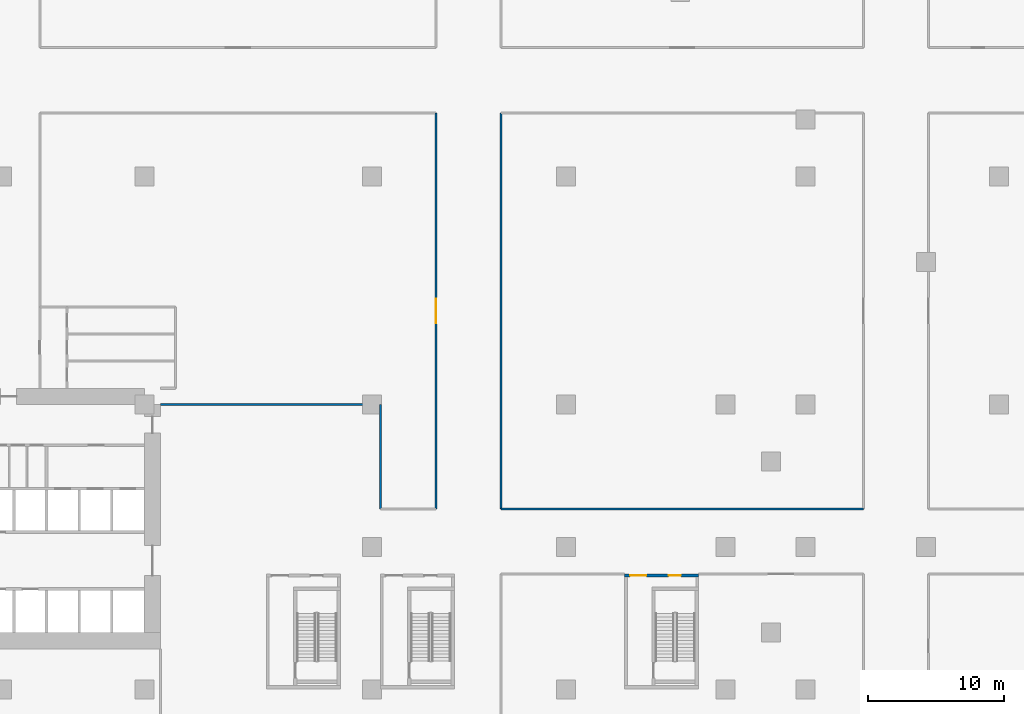
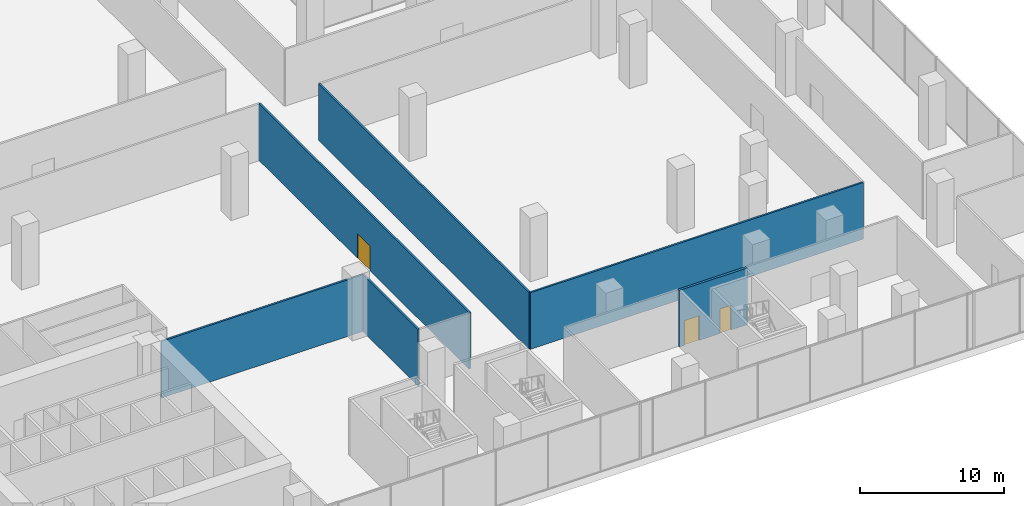
# One storey, part 15 of 24: 6 walls, 3 doors, 3 openings.
"""IFC4 building model written with IfcOpenShell, lengths in metres."""

from ifc_helpers import new_model, si_unit, direction, frame, frame_2d, origin, place, context, subcontext, project, spatial, rectangle, extrude, source, transform, mapped, material, layer, layer_set, type_object, element, fill, save


model = new_model("IFC4")

# Units and contexts
model_context = context("Model", 3, precision=1e-05, world=origin(), true_north=direction((0.0, 1.0)))
body_context = subcontext(model_context, "Body", "Model", "MODEL_VIEW")
ifc_project = project(units=[si_unit("LENGTHUNIT", "METRE"), si_unit("AREAUNIT", "SQUARE_METRE"), si_unit("VOLUMEUNIT", "CUBIC_METRE"), si_unit("PLANEANGLEUNIT", "RADIAN"), si_unit("MASSUNIT", "GRAM", prefix="KILO")], contexts=[model_context])

# Site, building, storey
site_placement = place(None, origin())
site = spatial("IfcSite", under=ifc_project, at=site_placement, CompositionType="ELEMENT")
building_placement = place(site_placement, origin())
building = spatial("IfcBuilding", under=site, at=building_placement, Name="Aurelian Terraces", CompositionType="ELEMENT")
storey_placement = place(building_placement, frame((0.0, 0.0, 12.9)))
storey = spatial("IfcBuildingStorey", under=building, at=storey_placement, Name="L02", CompositionType="ELEMENT", Elevation=12.9)

# Wall, openings, doors
ifc_material_1 = material(Name="Gypsum board on steel studs", Category="steel")
ifc_layer_1 = layer(ifc_material_1, 0.2)
ifc_layer_set_1 = layer_set([ifc_layer_1], Name="Core partition 200")
wall_type_1 = type_object("IfcWallType", Name="Core partition 200", PredefinedType="PARTITIONING", material=ifc_layer_set_1)
shared_shape_1 = source(origin(), body_context, "Body", "SweptSolid", [
    extrude(rectangle(XDim=5.45, YDim=0.2, at=frame_2d((2.725, 0.0))), origin(), (0.0, 0.0, 1.0), 4.8),
])
wall_1_placement = place(storey_placement, frame((56.4, 8.4, 0.0), z_axis=(0.0, 0.0, 1.0), x_axis=(1.0, 0.0, 0.0)))
wall_1 = element("IfcWall", 1, at=wall_1_placement, inside=storey, type_object=wall_type_1, Name="L02 core wall ST-S6-BN", PredefinedType="PARTITIONING", context=body_context, shape_type="MappedRepresentation", body=[
    mapped(shared_shape_1, transform((0.0, 0.0, 0.0), scale=1.0)),
])
shared_shape_2 = source(origin(), body_context, "Body", "SweptSolid", [
    extrude(rectangle(XDim=1.2, YDim=2.1, at=frame_2d((0.6, 1.05))), frame((0.0, 0.11, 0.0), z_axis=(0.0, -1.0, 0.0), x_axis=(1.0, 0.0, 0.0)), (0.0, 0.0, 1.0), 0.22),
])
opening_1_placement = place(wall_1_placement, frame((0.4, 0.0, 0.0)))
opening_1 = element("IfcOpeningElement", 2, at=opening_1_placement, cuts=wall_1, Name="Opening 60528", PredefinedType="OPENING", context=body_context, shape_type="MappedRepresentation", body=[
    mapped(shared_shape_2, transform((0.0, 0.0, 0.0), scale=1.0)),
])
shared_shape_3 = source(origin(), body_context, "Body", "SweptSolid", [
    extrude(rectangle(XDim=0.9, YDim=2.1, at=frame_2d((0.45, 1.05))), frame((0.0, 0.11, 0.0), z_axis=(0.0, -1.0, 0.0), x_axis=(1.0, 0.0, 0.0)), (0.0, 0.0, 1.0), 0.22),
])
opening_2_placement = place(wall_1_placement, frame((3.25, 0.0, 0.0)))
opening_2 = element("IfcOpeningElement", 3, at=opening_2_placement, cuts=wall_1, Name="Opening 60529", PredefinedType="OPENING", context=body_context, shape_type="MappedRepresentation", body=[
    mapped(shared_shape_3, transform((0.0, 0.0, 0.0), scale=1.0)),
])
ifc_material_2 = material(Name="Steel door leaf", Category="steel")
door_type_1 = type_object("IfcDoorType", Name="Core riser door 900x2100", OperationType="SINGLE_SWING_LEFT", PredefinedType="DOOR", material=ifc_material_2)
shared_shape_4 = source(origin(), body_context, "Body", "SweptSolid", [
    extrude(rectangle(XDim=0.9, YDim=2.1, at=frame_2d((0.45, 1.05))), frame((0.0, 0.025, 0.0), z_axis=(0.0, -1.0, 0.0), x_axis=(1.0, 0.0, 0.0)), (0.0, 0.0, 1.0), 0.05),
])
door_1_placement = place(opening_2_placement, origin())
door_1 = element("IfcDoor", 4, at=door_1_placement, inside=storey, type_object=door_type_1, Name="Riser door 60529", OperationType="SINGLE_SWING_LEFT", OverallHeight=2.1, OverallWidth=0.9, PredefinedType="DOOR", context=body_context, shape_type="MappedRepresentation", body=[
    mapped(shared_shape_4, transform((0.0, 0.0, 0.0), scale=1.0)),
])
fill(opening_2, door_1)
door_type_2 = type_object("IfcDoorType", Name="Core fire door 1200x2100 right", OperationType="SINGLE_SWING_RIGHT", PredefinedType="DOOR", material=ifc_material_2)
shared_shape_5 = source(origin(), body_context, "Body", "SweptSolid", [
    extrude(rectangle(XDim=1.2, YDim=2.1, at=frame_2d((0.6, 1.05))), frame((0.0, 0.025, 0.0), z_axis=(0.0, -1.0, 0.0), x_axis=(1.0, 0.0, 0.0)), (0.0, 0.0, 1.0), 0.05),
])
door_2_placement = place(opening_1_placement, origin())
door_2 = element("IfcDoor", 5, at=door_2_placement, inside=storey, type_object=door_type_2, Name="Vestibule door 60528", OperationType="SINGLE_SWING_RIGHT", OverallHeight=2.1, OverallWidth=1.2, PredefinedType="DOOR", context=body_context, shape_type="MappedRepresentation", body=[
    mapped(shared_shape_5, transform((0.0, 0.0, 0.0), scale=1.0)),
])
fill(opening_1, door_2)

# Wall
ifc_layer_2 = layer(ifc_material_1, 0.15)
ifc_layer_set_2 = layer_set([ifc_layer_2], Name="Special partition 150")
wall_type_2 = type_object("IfcWallType", Name="Special partition 150", PredefinedType="PARTITIONING", material=ifc_layer_set_2)
shared_shape_6 = source(origin(), body_context, "Body", "SweptSolid", [
    extrude(rectangle(XDim=26.7, YDim=0.15, at=frame_2d((13.35, 0.0))), origin(), (0.0, 0.0, 1.0), 4.8),
])
wall_2_placement = place(storey_placement, frame((47.3, 13.3, 0.0), z_axis=(0.0, 0.0, 1.0), x_axis=(1.0, 0.0, 0.0)))
element("IfcWall", 6, at=wall_2_placement, inside=storey, type_object=wall_type_2, Name="L02 partition W06", PredefinedType="PARTITIONING", context=body_context, shape_type="MappedRepresentation", body=[
    mapped(shared_shape_6, transform((0.0, 0.0, 0.0), scale=1.0)),
])

# Wall, opening, door
shared_shape_7 = source(origin(), body_context, "Body", "SweptSolid", [
    extrude(rectangle(XDim=29.2, YDim=0.15, at=frame_2d((14.6, 0.0))), origin(), (0.0, 0.0, 1.0), 4.8),
])
wall_3_placement = place(storey_placement, frame((42.5, 13.3, 0.0), z_axis=(0.0, 0.0, 1.0), x_axis=(0.0, 1.0, 0.0)))
wall_3 = element("IfcWall", 7, at=wall_3_placement, inside=storey, type_object=wall_type_2, Name="L02 partition W30", PredefinedType="PARTITIONING", context=body_context, shape_type="MappedRepresentation", body=[
    mapped(shared_shape_7, transform((0.0, 0.0, 0.0), scale=1.0)),
])
shared_shape_8 = source(origin(), body_context, "Body", "SweptSolid", [
    extrude(rectangle(XDim=1.8, YDim=2.1, at=frame_2d((0.9, 1.05))), frame((0.0, 0.085, 0.0), z_axis=(0.0, -1.0, 0.0), x_axis=(1.0, 0.0, 0.0)), (0.0, 0.0, 1.0), 0.17),
])
opening_3_placement = place(wall_3_placement, frame((13.7, 0.0, 0.0)))
opening_3 = element("IfcOpeningElement", 8, at=opening_3_placement, cuts=wall_3, Name="Opening 70512", PredefinedType="OPENING", context=body_context, shape_type="MappedRepresentation", body=[
    mapped(shared_shape_8, transform((0.0, 0.0, 0.0), scale=1.0)),
])
ifc_material_3 = material(Name="Timber door leaf", Category="wood")
door_type_3 = type_object("IfcDoorType", Name="Special double door 1800x2100", OperationType="DOUBLE_DOOR_SINGLE_SWING", PredefinedType="DOOR", material=ifc_material_3)
shared_shape_9 = source(origin(), body_context, "Body", "SweptSolid", [
    extrude(rectangle(XDim=1.8, YDim=2.1, at=frame_2d((0.9, 1.05))), frame((0.0, 0.025, 0.0), z_axis=(0.0, -1.0, 0.0), x_axis=(1.0, 0.0, 0.0)), (0.0, 0.0, 1.0), 0.05),
])
door_3_placement = place(opening_3_placement, origin())
door_3 = element("IfcDoor", 9, at=door_3_placement, inside=storey, type_object=door_type_3, Name="Door 70512", OperationType="DOUBLE_DOOR_SINGLE_SWING", OverallHeight=2.1, OverallWidth=1.8, PredefinedType="DOOR", context=body_context, shape_type="MappedRepresentation", body=[
    mapped(shared_shape_9, transform((0.0, 0.0, 0.0), scale=1.0)),
])
fill(opening_3, door_3)

# Walls
wall_4_placement = place(storey_placement, frame((47.3, 13.3, 0.0), z_axis=(0.0, 0.0, 1.0), x_axis=(0.0, 1.0, 0.0)))
element("IfcWall", 10, at=wall_4_placement, inside=storey, type_object=wall_type_2, Name="L02 partition W33", PredefinedType="PARTITIONING", context=body_context, shape_type="MappedRepresentation", body=[
    mapped(shared_shape_7, transform((0.0, 0.0, 0.0), scale=1.0)),
])
shared_shape_10 = source(origin(), body_context, "Body", "SweptSolid", [
    extrude(rectangle(XDim=16.2, YDim=0.15, at=frame_2d((8.1, 0.0))), origin(), (0.0, 0.0, 1.0), 4.8),
])
wall_5_placement = place(storey_placement, frame((22.2, 21.0, 0.0), z_axis=(0.0, 0.0, 1.0), x_axis=(1.0, 0.0, 0.0)))
element("IfcWall", 11, at=wall_5_placement, inside=storey, type_object=wall_type_2, Name="L02 partition W08", PredefinedType="PARTITIONING", context=body_context, shape_type="MappedRepresentation", body=[
    mapped(shared_shape_10, transform((0.0, 0.0, 0.0), scale=1.0)),
])
shared_shape_11 = source(origin(), body_context, "Body", "SweptSolid", [
    extrude(rectangle(XDim=7.7, YDim=0.15, at=frame_2d((3.85, 0.0))), origin(), (0.0, 0.0, 1.0), 4.8),
])
wall_6_placement = place(storey_placement, frame((38.4, 13.3, 0.0), z_axis=(0.0, 0.0, 1.0), x_axis=(0.0, 1.0, 0.0)))
element("IfcWall", 12, at=wall_6_placement, inside=storey, type_object=wall_type_2, Name="L02 partition W29", PredefinedType="PARTITIONING", context=body_context, shape_type="MappedRepresentation", body=[
    mapped(shared_shape_11, transform((0.0, 0.0, 0.0), scale=1.0)),
])

save(model, "model.ifc")
